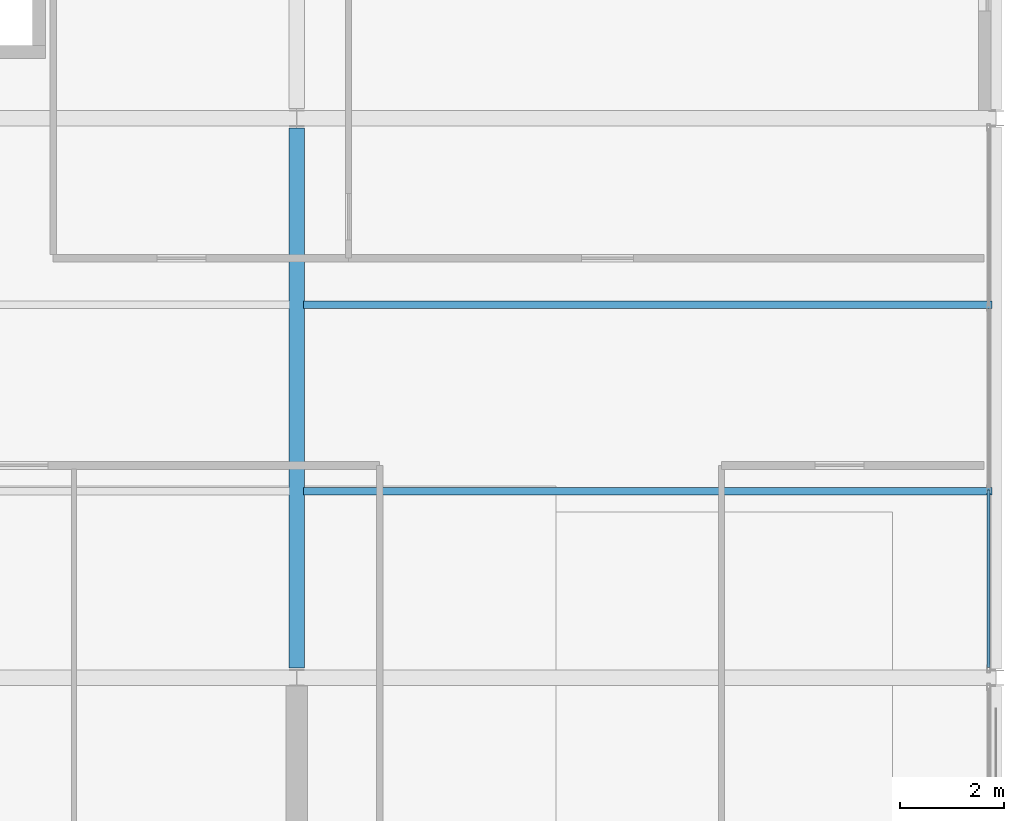
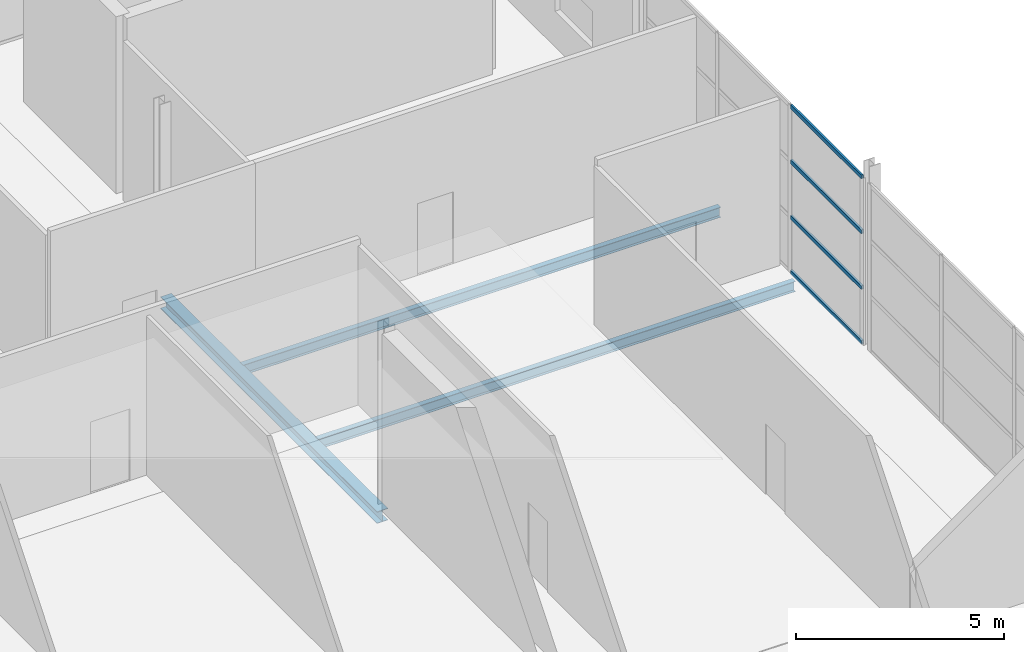
# One storey, part 15 of 34: 4 members, 3 beams, 1 element without a shape of its own.
"""IFC4 building model written with IfcOpenShell, lengths in metres."""

from ifc_helpers import new_model, si_unit, direction, frame, origin, origin_2d, place, context, subcontext, project, spatial, hollow_rectangle, i_section, extrude, material, layer, layer_set, material_profile, profile_set, type_object, element, aggregate, save


model = new_model("IFC4")

# Units and contexts
model_context = context("Model", 3, precision=1e-05, world=origin(), true_north=direction((0.0, 1.0)))
body_context = subcontext(model_context, "Body", "Model", "MODEL_VIEW")
ifc_project = project(units=[si_unit("LENGTHUNIT", "METRE"), si_unit("AREAUNIT", "SQUARE_METRE"), si_unit("VOLUMEUNIT", "CUBIC_METRE"), si_unit("PLANEANGLEUNIT", "RADIAN"), si_unit("MASSUNIT", "GRAM", prefix="KILO")], contexts=[model_context])

# Site, building, storey
site_placement = place(None, origin())
site = spatial("IfcSite", under=ifc_project, at=site_placement, CompositionType="ELEMENT")
building_placement = place(site_placement, origin())
building = spatial("IfcBuilding", under=site, at=building_placement, Name="Tamarisk Ironworks Central Station", CompositionType="ELEMENT")
storey_placement = place(building_placement, frame((0.0, 0.0, 25.199951171875)))
storey = spatial("IfcBuildingStorey", under=building, at=storey_placement, Name="L05", CompositionType="ELEMENT", Elevation=25.199951171875)

# Beams
ifc_material_1 = material(Name="Structural steel S355J2", Category="steel")
ifc_material_profile_1 = material_profile(ifc_material_1, i_section(OverallWidth=0.14990234375, OverallDepth=0.300048828125, WebThickness=0.007080078125, FlangeThickness=0.0107421875, at=origin_2d()), Name="IPE 300")
ifc_profile_set_1 = profile_set([ifc_material_profile_1], Name="Structural steel S355J2")
beam_type_1 = type_object("IfcBeamType", Name="BM-B07", PredefinedType="BEAM", material=ifc_profile_set_1)
for number, where, z_axis, x_axis, name in (
    (1, (166.635009765625, 104.39990234375, -0.369873046875), (1.0, 0.0, 0.0), (0.0, 1.0, 0.0), "L05 secondary composite beam 0277"),
    (2, (166.635009765625, 108.0, -0.369873046875), (1.0, 0.0, 0.0), (0.0, 1.0, 0.0), "L05 secondary composite beam 0278"),
):
    element("IfcBeam", number, at=place(storey_placement, frame(where, z_axis=z_axis, x_axis=x_axis)), inside=storey, type_object=beam_type_1, Name=name, PredefinedType="BEAM", context=body_context, shape_type="SweptSolid", body=[
        extrude(i_section(OverallWidth=0.14990234375, OverallDepth=0.300048828125, WebThickness=0.007080078125, FlangeThickness=0.0107421875, at=origin_2d()), origin(), (0.0, 0.0, 1.0), 13.280029296875),
    ])
ifc_material_profile_2 = material_profile(ifc_material_1, i_section(OverallWidth=0.300048828125, OverallDepth=0.35009765625, WebThickness=0.010009765625, FlangeThickness=0.017578125, at=origin_2d()), Name="HEA 360")
ifc_profile_set_2 = profile_set([ifc_material_profile_2], Name="Structural steel S355J2")
beam_type_2 = type_object("IfcBeamType", Name="BM-G08", PredefinedType="BEAM", material=ifc_profile_set_2)
beam_placement = place(storey_placement, frame((166.5, 100.988037109375, -0.39501953125), z_axis=(0.0, 1.0, 0.0), x_axis=(-1.0, 0.0, 0.0)))
element("IfcBeam", 3, at=beam_placement, inside=storey, type_object=beam_type_2, Name="L05 primary girder Y-0780", PredefinedType="BEAM", context=body_context, shape_type="SweptSolid", body=[
    extrude(i_section(OverallWidth=0.300048828125, OverallDepth=0.35009765625, WebThickness=0.010009765625, FlangeThickness=0.017578125, at=origin_2d()), origin(), (0.0, 0.0, 1.0), 10.424072265625),
])

# Curtain wall, members
ifc_material_2 = material(Name="Anodized aluminium alloy 6063-T6", Category="aluminium")
ifc_layer = layer(ifc_material_2, 0.179931640625)
ifc_layer_set = layer_set([ifc_layer], Name="Anodized aluminium alloy 6063-T6")
curtain_wall_type = type_object("IfcCurtainWallType", Name="CW-23", PredefinedType="USERDEFINED", material=ifc_layer_set)
curtain_wall_placement = place(storey_placement, origin())
curtain_wall = element("IfcCurtainWall", 4, at=curtain_wall_placement, inside=storey, type_object=curtain_wall_type, Name="Operations L05 east facade curtain wall 100", ObjectType="GLAZED CURTAIN WALL", PredefinedType="USERDEFINED")
ifc_material_profile_3 = material_profile(ifc_material_2, hollow_rectangle(XDim=0.06005859375, YDim=0.114990234375, WallThickness=0.00341796875, at=origin_2d()), Name="ALUM 115x60")
ifc_profile_set_3 = profile_set([ifc_material_profile_3], Name="Anodized aluminium alloy 6063-T6")
member_type = type_object("IfcMemberType", Name="CWT-03", PredefinedType="USERDEFINED", material=ifc_profile_set_3)
member_1_placement = place(storey_placement, frame((179.85009765625, 101.00390625, 0.030029296875), z_axis=(0.0, 1.0, 0.0), x_axis=(-1.0, 0.0, 0.0)))
member_1 = element("IfcMember", 5, at=member_1_placement, type_object=member_type, Name="CW23 transom 1.1", ObjectType="TRANSOM", PredefinedType="USERDEFINED", context=body_context, shape_type="SweptSolid", body=[
    extrude(hollow_rectangle(XDim=0.06005859375, YDim=0.114990234375, WallThickness=0.00341796875, at=origin_2d()), origin(), (0.0, 0.0, 1.0), 3.41943359375),
])
member_2_placement = place(storey_placement, frame((179.85009765625, 101.00390625, 1.64013671875), z_axis=(0.0, 1.0, 0.0), x_axis=(-1.0, 0.0, 0.0)))
member_2 = element("IfcMember", 6, at=member_2_placement, type_object=member_type, Name="CW23 transom 1.2", ObjectType="TRANSOM", PredefinedType="USERDEFINED", context=body_context, shape_type="SweptSolid", body=[
    extrude(hollow_rectangle(XDim=0.06005859375, YDim=0.114990234375, WallThickness=0.00341796875, at=origin_2d()), origin(), (0.0, 0.0, 1.0), 3.41943359375),
])
member_3_placement = place(storey_placement, frame((179.85009765625, 101.00390625, 3.280029296875), z_axis=(0.0, 1.0, 0.0), x_axis=(-1.0, 0.0, 0.0)))
member_3 = element("IfcMember", 7, at=member_3_placement, type_object=member_type, Name="CW23 transom 1.3", ObjectType="TRANSOM", PredefinedType="USERDEFINED", context=body_context, shape_type="SweptSolid", body=[
    extrude(hollow_rectangle(XDim=0.06005859375, YDim=0.114990234375, WallThickness=0.00341796875, at=origin_2d()), origin(), (0.0, 0.0, 1.0), 3.41943359375),
])
member_4_placement = place(storey_placement, frame((179.85009765625, 101.00390625, 4.89013671875), z_axis=(0.0, 1.0, 0.0), x_axis=(-1.0, 0.0, 0.0)))
member_4 = element("IfcMember", 8, at=member_4_placement, type_object=member_type, Name="CW23 transom 1.4", ObjectType="TRANSOM", PredefinedType="USERDEFINED", context=body_context, shape_type="SweptSolid", body=[
    extrude(hollow_rectangle(XDim=0.06005859375, YDim=0.114990234375, WallThickness=0.00341796875, at=origin_2d()), origin(), (0.0, 0.0, 1.0), 3.41943359375),
])
aggregate(curtain_wall, [member_1, member_2, member_3, member_4])

save(model, "model.ifc")
